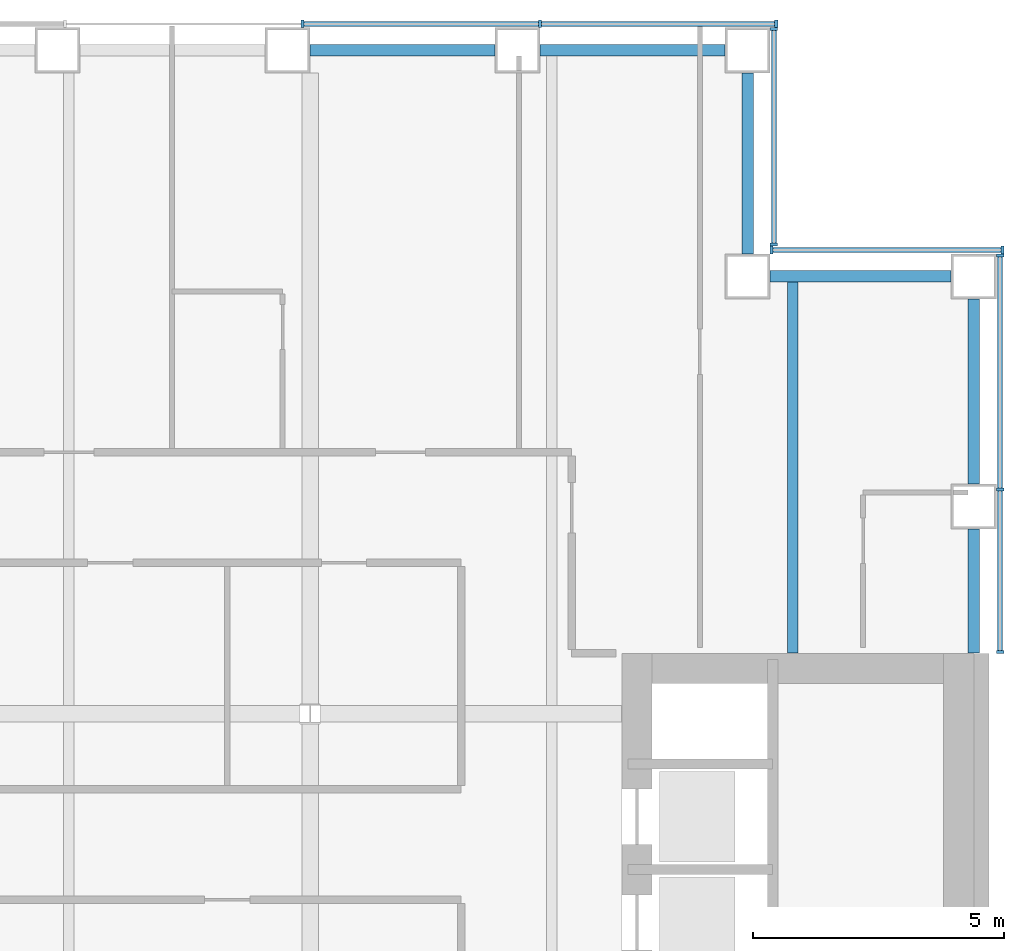
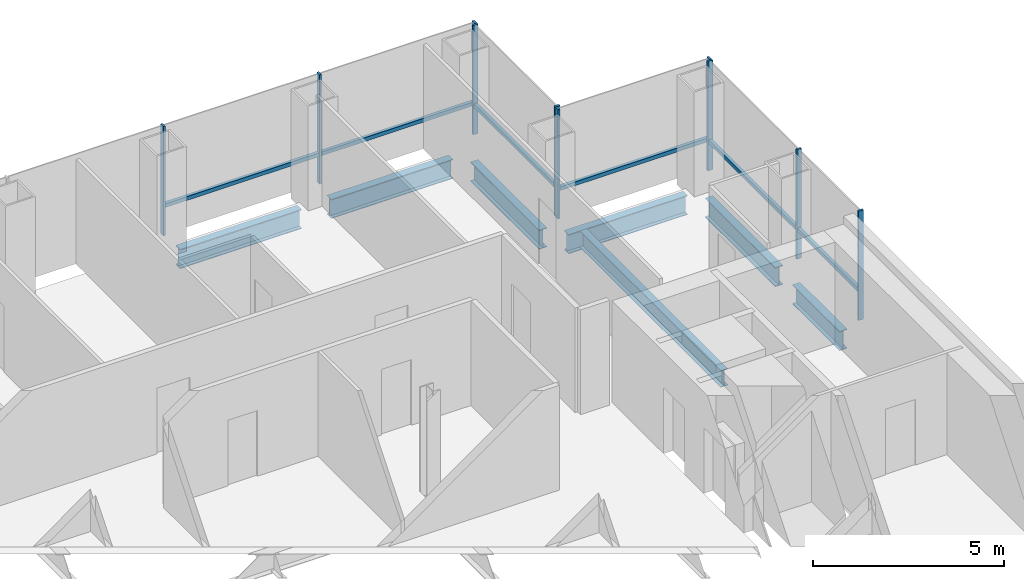
# One storey, part 8 of 16: 16 members, 7 beams, 4 elements without a shape of their own.
"""IFC4 building model written with IfcOpenShell, lengths in metres."""

from ifc_helpers import new_model, si_unit, direction, frame, origin, origin_2d, place, context, subcontext, project, spatial, rectangle, i_section, extrude, material, material_profile, profile_set, type_object, element, aggregate, save


model = new_model("IFC4")

# Units and contexts
model_context = context("Model", 3, precision=1e-05, world=origin(), true_north=direction((0.0, 1.0)))
body_context = subcontext(model_context, "Body", "Model", "MODEL_VIEW")
ifc_project = project(units=[si_unit("LENGTHUNIT", "METRE"), si_unit("AREAUNIT", "SQUARE_METRE"), si_unit("VOLUMEUNIT", "CUBIC_METRE"), si_unit("PLANEANGLEUNIT", "RADIAN"), si_unit("MASSUNIT", "GRAM", prefix="KILO")], contexts=[model_context])

# Site, building, storey
site_placement = place(None, origin())
site = spatial("IfcSite", under=ifc_project, at=site_placement, CompositionType="ELEMENT")
building_placement = place(site_placement, origin())
building = spatial("IfcBuilding", under=site, at=building_placement, Name="Cobrizo Arcos Hotel Tower", CompositionType="ELEMENT")
storey_placement = place(building_placement, frame((0.0, 0.0, 92.5)))
storey = spatial("IfcBuildingStorey", under=building, at=storey_placement, Name="L22", CompositionType="ELEMENT", Elevation=92.5)

# Curtain wall, members
ifc_material_1 = material(Name="Aluminium 6063-T6 anodised bronze", Category="aluminium")
curtain_wall_type = type_object("IfcCurtainWallType", Name="CW-A guest facade", PredefinedType="NOTDEFINED", material=ifc_material_1)
curtain_wall_1_placement = place(storey_placement, origin())
curtain_wall_1 = element("IfcCurtainWall", 1, at=curtain_wall_1_placement, inside=storey, type_object=curtain_wall_type, Name="CW-A L22 E face", PredefinedType="NOTDEFINED")
ifc_material_profile_1 = material_profile(ifc_material_1, rectangle(XDim=0.14990234375, YDim=0.06005859375, at=origin_2d()), Name="CW-A mullion 150x60")
ifc_profile_set_1 = profile_set([ifc_material_profile_1], Name="Aluminium 6063-T6 anodised bronze")
member_type_1 = type_object("IfcMemberType", Name="CW-A mullion 150x60", PredefinedType="MULLION", material=ifc_profile_set_1)
member_1_placement = place(storey_placement, frame((23.324951171875, 10.830078125, 0.0), z_axis=(0.0, 0.0, 1.0), x_axis=(1.0, 0.0, 0.0)))
member_1 = element("IfcMember", 2, at=member_1_placement, type_object=member_type_1, Name="CW-A mullion 1", PredefinedType="MULLION", context=body_context, shape_type="SweptSolid", body=[
    extrude(rectangle(XDim=0.14990234375, YDim=0.06005859375, at=origin_2d()), origin(), (0.0, 0.0, 1.0), 3.5),
])
member_2_placement = place(storey_placement, frame((23.324951171875, 14.0625, 0.0), z_axis=(0.0, 0.0, 1.0), x_axis=(1.0, 0.0, 0.0)))
member_2 = element("IfcMember", 3, at=member_2_placement, type_object=member_type_1, Name="CW-A mullion 2", PredefinedType="MULLION", context=body_context, shape_type="SweptSolid", body=[
    extrude(rectangle(XDim=0.14990234375, YDim=0.06005859375, at=origin_2d()), origin(), (0.0, 0.0, 1.0), 3.5),
])
member_3_placement = place(storey_placement, frame((23.324951171875, 18.719970703125, 0.0), z_axis=(0.0, 0.0, 1.0), x_axis=(1.0, 0.0, 0.0)))
member_3 = element("IfcMember", 4, at=member_3_placement, type_object=member_type_1, Name="CW-A mullion 3", PredefinedType="MULLION", context=body_context, shape_type="SweptSolid", body=[
    extrude(rectangle(XDim=0.14990234375, YDim=0.06005859375, at=origin_2d()), origin(), (0.0, 0.0, 1.0), 3.5),
])

curtain_wall_2_placement = place(storey_placement, origin())
curtain_wall_2 = element("IfcCurtainWall", 5, at=curtain_wall_2_placement, inside=storey, type_object=curtain_wall_type, Name="CW-A L22 N face", PredefinedType="NOTDEFINED")
member_4_placement = place(storey_placement, frame((23.3701171875, 18.824951171875, 0.0), z_axis=(0.0, 0.0, 1.0), x_axis=(0.0, 1.0, 0.0)))
member_4 = element("IfcMember", 6, at=member_4_placement, type_object=member_type_1, Name="CW-A mullion 1", PredefinedType="MULLION", context=body_context, shape_type="SweptSolid", body=[
    extrude(rectangle(XDim=0.14990234375, YDim=0.06005859375, at=origin_2d()), origin(), (0.0, 0.0, 1.0), 3.5),
])
member_5_placement = place(storey_placement, frame((18.780029296875, 18.824951171875, 0.0), z_axis=(0.0, 0.0, 1.0), x_axis=(0.0, 1.0, 0.0)))
member_5 = element("IfcMember", 7, at=member_5_placement, type_object=member_type_1, Name="CW-A mullion 2", PredefinedType="MULLION", context=body_context, shape_type="SweptSolid", body=[
    extrude(rectangle(XDim=0.14990234375, YDim=0.06005859375, at=origin_2d()), origin(), (0.0, 0.0, 1.0), 3.5),
])

curtain_wall_3_placement = place(storey_placement, origin())
curtain_wall_3 = element("IfcCurtainWall", 8, at=curtain_wall_3_placement, inside=storey, type_object=curtain_wall_type, Name="CW-A L22 E face", PredefinedType="NOTDEFINED")
member_6_placement = place(storey_placement, frame((18.824951171875, 18.929931640625, 0.0), z_axis=(0.0, 0.0, 1.0), x_axis=(1.0, 0.0, 0.0)))
member_6 = element("IfcMember", 9, at=member_6_placement, type_object=member_type_1, Name="CW-A mullion 1", PredefinedType="MULLION", context=body_context, shape_type="SweptSolid", body=[
    extrude(rectangle(XDim=0.14990234375, YDim=0.06005859375, at=origin_2d()), origin(), (0.0, 0.0, 1.0), 3.5),
])
member_7_placement = place(storey_placement, frame((18.824951171875, 23.219970703125, 0.0), z_axis=(0.0, 0.0, 1.0), x_axis=(1.0, 0.0, 0.0)))
member_7 = element("IfcMember", 10, at=member_7_placement, type_object=member_type_1, Name="CW-A mullion 2", PredefinedType="MULLION", context=body_context, shape_type="SweptSolid", body=[
    extrude(rectangle(XDim=0.14990234375, YDim=0.06005859375, at=origin_2d()), origin(), (0.0, 0.0, 1.0), 3.5),
])

curtain_wall_4_placement = place(storey_placement, origin())
curtain_wall_4 = element("IfcCurtainWall", 11, at=curtain_wall_4_placement, inside=storey, type_object=curtain_wall_type, Name="CW-A L22 N face", PredefinedType="NOTDEFINED")
member_8_placement = place(storey_placement, frame((18.8701171875, 23.324951171875, 0.0), z_axis=(0.0, 0.0, 1.0), x_axis=(0.0, 1.0, 0.0)))
member_8 = element("IfcMember", 12, at=member_8_placement, type_object=member_type_1, Name="CW-A mullion 1", PredefinedType="MULLION", context=body_context, shape_type="SweptSolid", body=[
    extrude(rectangle(XDim=0.14990234375, YDim=0.06005859375, at=origin_2d()), origin(), (0.0, 0.0, 1.0), 3.5),
])
member_9_placement = place(storey_placement, frame((14.175048828125, 23.324951171875, 0.0), z_axis=(0.0, 0.0, 1.0), x_axis=(0.0, 1.0, 0.0)))
member_9 = element("IfcMember", 13, at=member_9_placement, type_object=member_type_1, Name="CW-A mullion 2", PredefinedType="MULLION", context=body_context, shape_type="SweptSolid", body=[
    extrude(rectangle(XDim=0.14990234375, YDim=0.06005859375, at=origin_2d()), origin(), (0.0, 0.0, 1.0), 3.5),
])
member_10_placement = place(storey_placement, frame((9.449951171875, 23.324951171875, 0.0), z_axis=(0.0, 0.0, 1.0), x_axis=(0.0, 1.0, 0.0)))
member_10 = element("IfcMember", 14, at=member_10_placement, type_object=member_type_1, Name="CW-A mullion 3", PredefinedType="MULLION", context=body_context, shape_type="SweptSolid", body=[
    extrude(rectangle(XDim=0.14990234375, YDim=0.06005859375, at=origin_2d()), origin(), (0.0, 0.0, 1.0), 3.5),
])

# Member
ifc_material_profile_2 = material_profile(ifc_material_1, rectangle(XDim=0.10009765625, YDim=0.1201171875, at=origin_2d()), Name="CW-A transom 120x100")
ifc_profile_set_2 = profile_set([ifc_material_profile_2], Name="Aluminium 6063-T6 anodised bronze")
member_type_2 = type_object("IfcMemberType", Name="CW-A transom 120x100", PredefinedType="USERDEFINED", material=ifc_profile_set_2)
member_11_placement = place(storey_placement, frame((23.324951171875, 10.860107421875, 0.929931640625), z_axis=(0.0, 1.0, 0.0), x_axis=(-1.0, 0.0, 0.0)))
member_11 = element("IfcMember", 15, at=member_11_placement, type_object=member_type_2, Name="CW-A transom 895", ObjectType="TRANSOM", PredefinedType="USERDEFINED", context=body_context, shape_type="SweptSolid", body=[
    extrude(rectangle(XDim=0.10009765625, YDim=0.1201171875, at=origin_2d()), origin(), (0.0, 0.0, 1.0), 3.17236328125),
])

member_12_placement = place(storey_placement, frame((23.324951171875, 14.092529296875, 0.929931640625), z_axis=(0.0, 1.0, 0.0), x_axis=(-1.0, 0.0, 0.0)))
member_12 = element("IfcMember", 16, at=member_12_placement, type_object=member_type_2, Name="CW-A transom 896", ObjectType="TRANSOM", PredefinedType="USERDEFINED", context=body_context, shape_type="SweptSolid", body=[
    extrude(rectangle(XDim=0.10009765625, YDim=0.1201171875, at=origin_2d()), origin(), (0.0, 0.0, 1.0), 4.597412109375),
])

aggregate(curtain_wall_1, [member_1, member_2, member_3, member_11, member_12])

member_13_placement = place(storey_placement, frame((23.340087890625, 18.824951171875, 0.929931640625), z_axis=(-1.0, 0.0, 0.0), x_axis=(0.0, -1.0, 0.0)))
member_13 = element("IfcMember", 17, at=member_13_placement, type_object=member_type_2, Name="CW-A transom 897", ObjectType="TRANSOM", PredefinedType="USERDEFINED", context=body_context, shape_type="SweptSolid", body=[
    extrude(rectangle(XDim=0.10009765625, YDim=0.1201171875, at=origin_2d()), origin(), (0.0, 0.0, 1.0), 4.530029296875),
])

aggregate(curtain_wall_2, [member_4, member_5, member_13])

member_14_placement = place(storey_placement, frame((18.824951171875, 18.9599609375, 0.929931640625), z_axis=(0.0, 1.0, 0.0), x_axis=(-1.0, 0.0, 0.0)))
member_14 = element("IfcMember", 18, at=member_14_placement, type_object=member_type_2, Name="CW-A transom 898", ObjectType="TRANSOM", PredefinedType="USERDEFINED", context=body_context, shape_type="SweptSolid", body=[
    extrude(rectangle(XDim=0.10009765625, YDim=0.1201171875, at=origin_2d()), origin(), (0.0, 0.0, 1.0), 4.22998046875),
])

aggregate(curtain_wall_3, [member_6, member_7, member_14])

member_15_placement = place(storey_placement, frame((18.840087890625, 23.324951171875, 0.929931640625), z_axis=(-1.0, 0.0, 0.0), x_axis=(0.0, -1.0, 0.0)))
member_15 = element("IfcMember", 19, at=member_15_placement, type_object=member_type_2, Name="CW-A transom 899", ObjectType="TRANSOM", PredefinedType="USERDEFINED", context=body_context, shape_type="SweptSolid", body=[
    extrude(rectangle(XDim=0.10009765625, YDim=0.1201171875, at=origin_2d()), origin(), (0.0, 0.0, 1.0), 4.635009765625),
])

member_16_placement = place(storey_placement, frame((14.14501953125, 23.324951171875, 0.929931640625), z_axis=(-1.0, 0.0, 0.0), x_axis=(0.0, -1.0, 0.0)))
member_16 = element("IfcMember", 20, at=member_16_placement, type_object=member_type_2, Name="CW-A transom 900", ObjectType="TRANSOM", PredefinedType="USERDEFINED", context=body_context, shape_type="SweptSolid", body=[
    extrude(rectangle(XDim=0.10009765625, YDim=0.1201171875, at=origin_2d()), origin(), (0.0, 0.0, 1.0), 4.6650390625),
])

aggregate(curtain_wall_4, [member_8, member_9, member_10, member_15, member_16])

# Beams
ifc_material_2 = material(Name="Steel ASTM A992 Grade 50", Category="steel")
ifc_material_profile_3 = material_profile(ifc_material_2, i_section(OverallWidth=0.209228515625, OverallDepth=0.533447265625, WebThickness=0.01025390625, FlangeThickness=0.015625, at=origin_2d()), Name="W21X62")
ifc_profile_set_3 = profile_set([ifc_material_profile_3], Name="Steel ASTM A992 Grade 50")
beam_type_1 = type_object("IfcBeamType", Name="W21X62 joist", PredefinedType="JOIST", material=ifc_profile_set_3)
beam_1_placement = place(storey_placement, frame((19.199951171875, 10.81005859375, -0.416748046875), z_axis=(0.0, 1.0, 0.0), x_axis=(-1.0, 0.0, 0.0)))
element("IfcBeam", 21, at=beam_1_placement, inside=storey, type_object=beam_type_1, Name="Floor joist J1, L22, no. 020", PredefinedType="JOIST", context=body_context, shape_type="SweptSolid", body=[
    extrude(i_section(OverallWidth=0.209228515625, OverallDepth=0.533447265625, WebThickness=0.01025390625, FlangeThickness=0.015625, at=origin_2d()), origin(), (0.0, 0.0, 1.0), 7.39990234375),
])
ifc_material_profile_4 = material_profile(ifc_material_2, i_section(OverallWidth=0.23046875, OverallDepth=0.6171875, WebThickness=0.01318359375, FlangeThickness=0.022216796875, at=origin_2d()), Name="W24X94")
ifc_profile_set_4 = profile_set([ifc_material_profile_4], Name="Steel ASTM A992 Grade 50")
beam_type_2 = type_object("IfcBeamType", Name="W24X94 spandrel", PredefinedType="SPANDREL", material=ifc_profile_set_4)
beam_2_placement = place(storey_placement, frame((22.800048828125, 10.81005859375, -0.45849609375), z_axis=(0.0, 1.0, 0.0), x_axis=(-1.0, 0.0, 0.0)))
element("IfcBeam", 22, at=beam_2_placement, inside=storey, type_object=beam_type_2, Name="Spandrel beam W24X94, L22, no. 013", PredefinedType="SPANDREL", context=body_context, shape_type="SweptSolid", body=[
    extrude(i_section(OverallWidth=0.23046875, OverallDepth=0.6171875, WebThickness=0.01318359375, FlangeThickness=0.022216796875, at=origin_2d()), origin(), (0.0, 0.0, 1.0), 2.46484375),
])
beam_3_placement = place(storey_placement, frame((22.800048828125, 14.175048828125, -0.45849609375), z_axis=(0.0, 1.0, 0.0), x_axis=(-1.0, 0.0, 0.0)))
element("IfcBeam", 23, at=beam_3_placement, inside=storey, type_object=beam_type_2, Name="Spandrel beam W24X94, L22, no. 014", PredefinedType="SPANDREL", context=body_context, shape_type="SweptSolid", body=[
    extrude(i_section(OverallWidth=0.23046875, OverallDepth=0.6171875, WebThickness=0.01318359375, FlangeThickness=0.022216796875, at=origin_2d()), origin(), (0.0, 0.0, 1.0), 3.675048828125),
])
for number, where, z_axis, x_axis, name in (
    (24, (22.35009765625, 18.300048828125, -0.45849609375), (-1.0, 0.0, 0.0), (0.0, -1.0, 0.0), "Spandrel beam W24X94, L22, no. 015"),
    (25, (18.300048828125, 18.75, -0.45849609375), (0.0, 1.0, 0.0), (-1.0, 0.0, 0.0), "Spandrel beam W24X94, L22, no. 016"),
):
    element("IfcBeam", number, at=place(storey_placement, frame(where, z_axis=z_axis, x_axis=x_axis)), inside=storey, type_object=beam_type_2, Name=name, PredefinedType="SPANDREL", context=body_context, shape_type="SweptSolid", body=[
        extrude(i_section(OverallWidth=0.23046875, OverallDepth=0.6171875, WebThickness=0.01318359375, FlangeThickness=0.022216796875, at=origin_2d()), origin(), (0.0, 0.0, 1.0), 3.60009765625),
    ])
beam_4_placement = place(storey_placement, frame((17.85009765625, 22.800048828125, -0.45849609375), z_axis=(-1.0, 0.0, 0.0), x_axis=(0.0, -1.0, 0.0)))
element("IfcBeam", 26, at=beam_4_placement, inside=storey, type_object=beam_type_2, Name="Spandrel beam W24X94, L22, no. 017", PredefinedType="SPANDREL", context=body_context, shape_type="SweptSolid", body=[
    extrude(i_section(OverallWidth=0.23046875, OverallDepth=0.6171875, WebThickness=0.01318359375, FlangeThickness=0.022216796875, at=origin_2d()), origin(), (0.0, 0.0, 1.0), 3.675048828125),
])
beam_5_placement = place(storey_placement, frame((13.27490234375, 22.800048828125, -0.45849609375), z_axis=(-1.0, 0.0, 0.0), x_axis=(0.0, -1.0, 0.0)))
element("IfcBeam", 27, at=beam_5_placement, inside=storey, type_object=beam_type_2, Name="Spandrel beam W24X94, L22, no. 018", PredefinedType="SPANDREL", context=body_context, shape_type="SweptSolid", body=[
    extrude(i_section(OverallWidth=0.23046875, OverallDepth=0.6171875, WebThickness=0.01318359375, FlangeThickness=0.022216796875, at=origin_2d()), origin(), (0.0, 0.0, 1.0), 3.6748046875),
])

save(model, "model.ifc")
